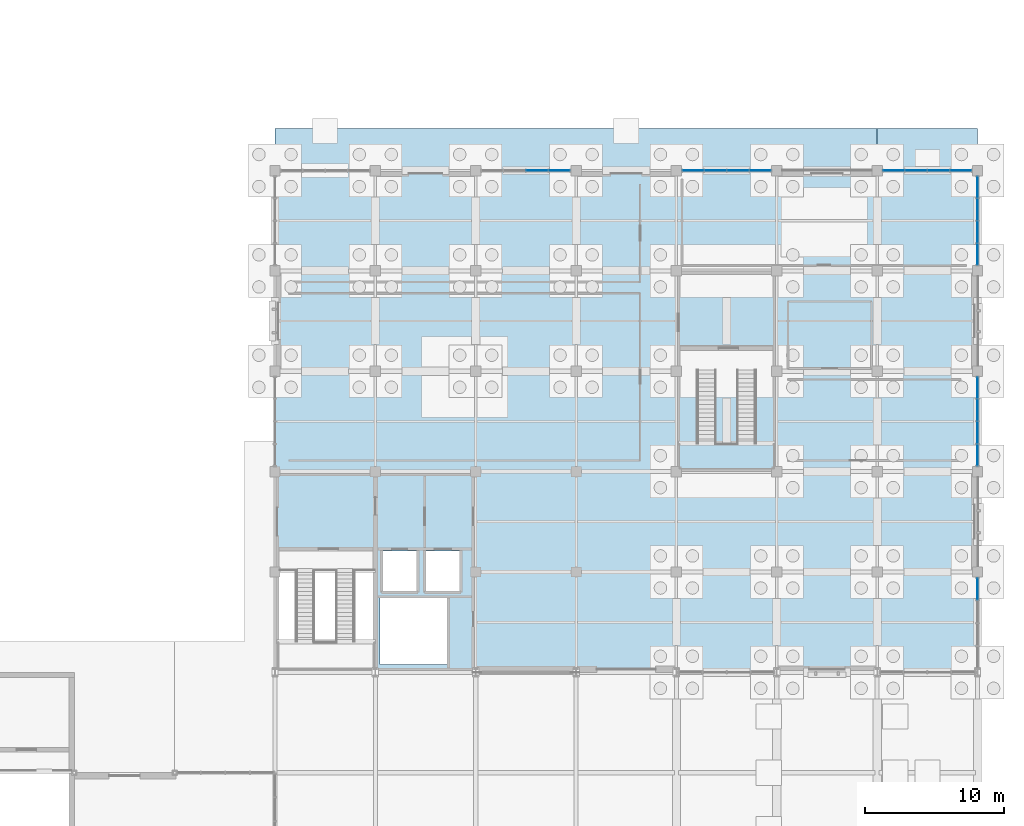
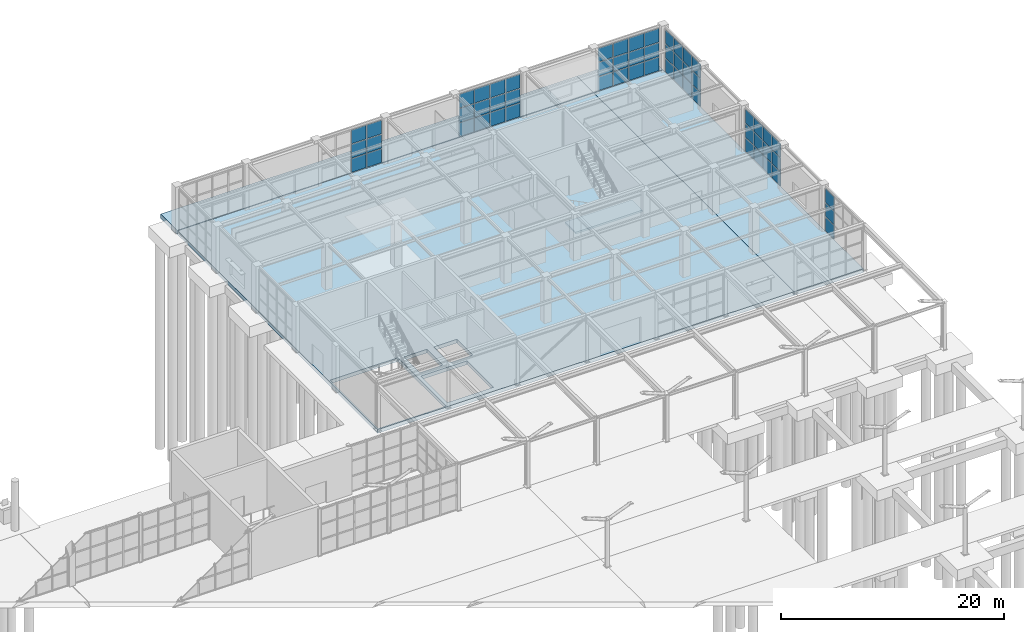
# One storey, part 51 of 75: 57 plates, 5 slabs, 7 elements without a shape of their own.
"""IFC4 building model written with IfcOpenShell, lengths in metres."""

from ifc_helpers import new_model, si_unit, direction, frame, origin, origin_2d, place, context, subcontext, project, spatial, polyline, rectangle, outline, extrude, material, layer, layer_set, type_object, element, aggregate, save


model = new_model("IFC4")

# Units and contexts
model_context = context("Model", 3, precision=1e-05, world=origin(), true_north=direction((0.0, 1.0)))
body_context = subcontext(model_context, "Body", "Model", "MODEL_VIEW")
ifc_project = project(units=[si_unit("LENGTHUNIT", "METRE"), si_unit("AREAUNIT", "SQUARE_METRE"), si_unit("VOLUMEUNIT", "CUBIC_METRE"), si_unit("PLANEANGLEUNIT", "RADIAN"), si_unit("MASSUNIT", "GRAM", prefix="KILO")], contexts=[model_context])

# Site, building, storey
site_placement = place(None, origin())
site = spatial("IfcSite", under=ifc_project, at=site_placement, CompositionType="ELEMENT")
building_placement = place(site_placement, origin())
building = spatial("IfcBuilding", under=site, at=building_placement, Name="Leyfeld Transit Interchange", CompositionType="ELEMENT")
storey_placement = place(building_placement, origin())
storey = spatial("IfcBuildingStorey", under=building, at=storey_placement, Name="L00", CompositionType="ELEMENT", Elevation=0.0)

# Curtain wall, plates
ifc_material_1 = material(Name="Anodised aluminium EN AW-6060 T66", Category="aluminium")
curtain_wall_type = type_object("IfcCurtainWallType", Name="CW-SYS-BUS-7200", PredefinedType="NOTDEFINED", material=ifc_material_1)
curtain_wall_1_placement = place(storey_placement, origin())
curtain_wall_1 = element("IfcCurtainWall", 1, at=curtain_wall_1_placement, inside=storey, type_object=curtain_wall_type, Name="Curtain Wall CW-L00-041", PredefinedType="NOTDEFINED")
ifc_material_2 = material(Name="Laminated safety acoustic glazing", Category="glass")
ifc_layer_1 = layer(ifc_material_2, 0.048095703125, Name="Laminated safety acoustic glazing")
ifc_layer_set_1 = layer_set([ifc_layer_1], Name="Laminated safety acoustic glazing")
plate_type = type_object("IfcPlateType", Name="CW-PNL-ACU-48", PredefinedType="CURTAIN_PANEL", material=ifc_layer_set_1)
plate_1_placement = place(storey_placement, frame((155.608642578125, 93.60009765625, 0.073486328125), z_axis=(0.0, 0.0, 1.0), x_axis=(1.0, 0.0, 0.0)))
plate_1 = element("IfcPlate", 2, at=plate_1_placement, type_object=plate_type, Name="Glazed Curtain Panel CW-L00-041-P03_1", PredefinedType="CURTAIN_PANEL", context=body_context, shape_type="SweptSolid", body=[
    extrude(rectangle(XDim=1.54541015625, YDim=0.048095703125, at=origin_2d()), origin(), (0.0, 0.0, 1.0), 1.5029296875),
])
plate_2_placement = place(storey_placement, frame((155.608642578125, 93.60009765625, 1.6484375), z_axis=(0.0, 0.0, 1.0), x_axis=(1.0, 0.0, 0.0)))
plate_2 = element("IfcPlate", 3, at=plate_2_placement, type_object=plate_type, Name="Glazed Curtain Panel CW-L00-041-P03_2", PredefinedType="CURTAIN_PANEL", context=body_context, shape_type="SweptSolid", body=[
    extrude(rectangle(XDim=1.54541015625, YDim=0.048095703125, at=origin_2d()), origin(), (0.0, 0.0, 1.0), 1.5029296875),
])
plate_3_placement = place(storey_placement, frame((155.608642578125, 93.60009765625, 3.2236328125), z_axis=(0.0, 0.0, 1.0), x_axis=(1.0, 0.0, 0.0)))
plate_3 = element("IfcPlate", 4, at=plate_3_placement, type_object=plate_type, Name="Glazed Curtain Panel CW-L00-041-P03_3", PredefinedType="CURTAIN_PANEL", context=body_context, shape_type="SweptSolid", body=[
    extrude(rectangle(XDim=1.54541015625, YDim=0.048095703125, at=origin_2d()), origin(), (0.0, 0.0, 1.0), 1.5029296875),
])
plate_4_placement = place(storey_placement, frame((157.20751953125, 93.60009765625, 0.073486328125), z_axis=(0.0, 0.0, 1.0), x_axis=(1.0, 0.0, 0.0)))
plate_4 = element("IfcPlate", 5, at=plate_4_placement, type_object=plate_type, Name="Glazed Curtain Panel CW-L00-041-P04_1", PredefinedType="CURTAIN_PANEL", context=body_context, shape_type="SweptSolid", body=[
    extrude(rectangle(XDim=1.508056640625, YDim=0.048095703125, at=origin_2d()), origin(), (0.0, 0.0, 1.0), 1.5029296875),
])
plate_5_placement = place(storey_placement, frame((157.20751953125, 93.60009765625, 1.6484375), z_axis=(0.0, 0.0, 1.0), x_axis=(1.0, 0.0, 0.0)))
plate_5 = element("IfcPlate", 6, at=plate_5_placement, type_object=plate_type, Name="Glazed Curtain Panel CW-L00-041-P04_2", PredefinedType="CURTAIN_PANEL", context=body_context, shape_type="SweptSolid", body=[
    extrude(rectangle(XDim=1.508056640625, YDim=0.048095703125, at=origin_2d()), origin(), (0.0, 0.0, 1.0), 1.5029296875),
])
plate_6_placement = place(storey_placement, frame((157.20751953125, 93.60009765625, 3.2236328125), z_axis=(0.0, 0.0, 1.0), x_axis=(1.0, 0.0, 0.0)))
plate_6 = element("IfcPlate", 7, at=plate_6_placement, type_object=plate_type, Name="Glazed Curtain Panel CW-L00-041-P04_3", PredefinedType="CURTAIN_PANEL", context=body_context, shape_type="SweptSolid", body=[
    extrude(rectangle(XDim=1.508056640625, YDim=0.048095703125, at=origin_2d()), origin(), (0.0, 0.0, 1.0), 1.5029296875),
])
aggregate(curtain_wall_1, [plate_1, plate_2, plate_3, plate_4, plate_5, plate_6])

curtain_wall_2_placement = place(storey_placement, origin())
curtain_wall_2 = element("IfcCurtainWall", 8, at=curtain_wall_2_placement, inside=storey, type_object=curtain_wall_type, Name="Curtain Wall CW-L00-042", PredefinedType="NOTDEFINED")
plate_7_placement = place(storey_placement, frame((166.79248046875, 93.60009765625, 0.073486328125), z_axis=(0.0, 0.0, 1.0), x_axis=(1.0, 0.0, 0.0)))
plate_7 = element("IfcPlate", 9, at=plate_7_placement, type_object=plate_type, Name="Glazed Curtain Panel CW-L00-042-P01_1", PredefinedType="CURTAIN_PANEL", context=body_context, shape_type="SweptSolid", body=[
    extrude(rectangle(XDim=1.508056640625, YDim=0.048095703125, at=origin_2d()), origin(), (0.0, 0.0, 1.0), 1.5029296875),
])
plate_8_placement = place(storey_placement, frame((166.79248046875, 93.60009765625, 1.6484375), z_axis=(0.0, 0.0, 1.0), x_axis=(1.0, 0.0, 0.0)))
plate_8 = element("IfcPlate", 10, at=plate_8_placement, type_object=plate_type, Name="Glazed Curtain Panel CW-L00-042-P01_2", PredefinedType="CURTAIN_PANEL", context=body_context, shape_type="SweptSolid", body=[
    extrude(rectangle(XDim=1.508056640625, YDim=0.048095703125, at=origin_2d()), origin(), (0.0, 0.0, 1.0), 1.5029296875),
])
plate_9_placement = place(storey_placement, frame((166.79248046875, 93.60009765625, 3.2236328125), z_axis=(0.0, 0.0, 1.0), x_axis=(1.0, 0.0, 0.0)))
plate_9 = element("IfcPlate", 11, at=plate_9_placement, type_object=plate_type, Name="Glazed Curtain Panel CW-L00-042-P01_3", PredefinedType="CURTAIN_PANEL", context=body_context, shape_type="SweptSolid", body=[
    extrude(rectangle(XDim=1.508056640625, YDim=0.048095703125, at=origin_2d()), origin(), (0.0, 0.0, 1.0), 1.5029296875),
])
plate_10_placement = place(storey_placement, frame((168.391357421875, 93.60009765625, 0.073486328125), z_axis=(0.0, 0.0, 1.0), x_axis=(1.0, 0.0, 0.0)))
plate_10 = element("IfcPlate", 12, at=plate_10_placement, type_object=plate_type, Name="Glazed Curtain Panel CW-L00-042-P02_1", PredefinedType="CURTAIN_PANEL", context=body_context, shape_type="SweptSolid", body=[
    extrude(rectangle(XDim=1.54541015625, YDim=0.048095703125, at=origin_2d()), origin(), (0.0, 0.0, 1.0), 1.5029296875),
])
plate_11_placement = place(storey_placement, frame((168.391357421875, 93.60009765625, 1.6484375), z_axis=(0.0, 0.0, 1.0), x_axis=(1.0, 0.0, 0.0)))
plate_11 = element("IfcPlate", 13, at=plate_11_placement, type_object=plate_type, Name="Glazed Curtain Panel CW-L00-042-P02_2", PredefinedType="CURTAIN_PANEL", context=body_context, shape_type="SweptSolid", body=[
    extrude(rectangle(XDim=1.54541015625, YDim=0.048095703125, at=origin_2d()), origin(), (0.0, 0.0, 1.0), 1.5029296875),
])
plate_12_placement = place(storey_placement, frame((168.391357421875, 93.60009765625, 3.2236328125), z_axis=(0.0, 0.0, 1.0), x_axis=(1.0, 0.0, 0.0)))
plate_12 = element("IfcPlate", 14, at=plate_12_placement, type_object=plate_type, Name="Glazed Curtain Panel CW-L00-042-P02_3", PredefinedType="CURTAIN_PANEL", context=body_context, shape_type="SweptSolid", body=[
    extrude(rectangle(XDim=1.54541015625, YDim=0.048095703125, at=origin_2d()), origin(), (0.0, 0.0, 1.0), 1.5029296875),
])
plate_13_placement = place(storey_placement, frame((170.0087890625, 93.60009765625, 0.073486328125), z_axis=(0.0, 0.0, 1.0), x_axis=(1.0, 0.0, 0.0)))
plate_13 = element("IfcPlate", 15, at=plate_13_placement, type_object=plate_type, Name="Glazed Curtain Panel CW-L00-042-P03_1", PredefinedType="CURTAIN_PANEL", context=body_context, shape_type="SweptSolid", body=[
    extrude(rectangle(XDim=1.54541015625, YDim=0.048095703125, at=origin_2d()), origin(), (0.0, 0.0, 1.0), 1.5029296875),
])
plate_14_placement = place(storey_placement, frame((170.0087890625, 93.60009765625, 1.6484375), z_axis=(0.0, 0.0, 1.0), x_axis=(1.0, 0.0, 0.0)))
plate_14 = element("IfcPlate", 16, at=plate_14_placement, type_object=plate_type, Name="Glazed Curtain Panel CW-L00-042-P03_2", PredefinedType="CURTAIN_PANEL", context=body_context, shape_type="SweptSolid", body=[
    extrude(rectangle(XDim=1.54541015625, YDim=0.048095703125, at=origin_2d()), origin(), (0.0, 0.0, 1.0), 1.5029296875),
])
plate_15_placement = place(storey_placement, frame((170.0087890625, 93.60009765625, 3.2236328125), z_axis=(0.0, 0.0, 1.0), x_axis=(1.0, 0.0, 0.0)))
plate_15 = element("IfcPlate", 17, at=plate_15_placement, type_object=plate_type, Name="Glazed Curtain Panel CW-L00-042-P03_3", PredefinedType="CURTAIN_PANEL", context=body_context, shape_type="SweptSolid", body=[
    extrude(rectangle(XDim=1.54541015625, YDim=0.048095703125, at=origin_2d()), origin(), (0.0, 0.0, 1.0), 1.5029296875),
])
plate_16_placement = place(storey_placement, frame((171.607421875, 93.60009765625, 0.073486328125), z_axis=(0.0, 0.0, 1.0), x_axis=(1.0, 0.0, 0.0)))
plate_16 = element("IfcPlate", 18, at=plate_16_placement, type_object=plate_type, Name="Glazed Curtain Panel CW-L00-042-P04_1", PredefinedType="CURTAIN_PANEL", context=body_context, shape_type="SweptSolid", body=[
    extrude(rectangle(XDim=1.508056640625, YDim=0.048095703125, at=origin_2d()), origin(), (0.0, 0.0, 1.0), 1.5029296875),
])
plate_17_placement = place(storey_placement, frame((171.607421875, 93.60009765625, 1.6484375), z_axis=(0.0, 0.0, 1.0), x_axis=(1.0, 0.0, 0.0)))
plate_17 = element("IfcPlate", 19, at=plate_17_placement, type_object=plate_type, Name="Glazed Curtain Panel CW-L00-042-P04_2", PredefinedType="CURTAIN_PANEL", context=body_context, shape_type="SweptSolid", body=[
    extrude(rectangle(XDim=1.508056640625, YDim=0.048095703125, at=origin_2d()), origin(), (0.0, 0.0, 1.0), 1.5029296875),
])
plate_18_placement = place(storey_placement, frame((171.607421875, 93.60009765625, 3.2236328125), z_axis=(0.0, 0.0, 1.0), x_axis=(1.0, 0.0, 0.0)))
plate_18 = element("IfcPlate", 20, at=plate_18_placement, type_object=plate_type, Name="Glazed Curtain Panel CW-L00-042-P04_3", PredefinedType="CURTAIN_PANEL", context=body_context, shape_type="SweptSolid", body=[
    extrude(rectangle(XDim=1.508056640625, YDim=0.048095703125, at=origin_2d()), origin(), (0.0, 0.0, 1.0), 1.5029296875),
])
aggregate(curtain_wall_2, [plate_7, plate_8, plate_9, plate_10, plate_11, plate_12, plate_13, plate_14, plate_15, plate_16, plate_17, plate_18])

curtain_wall_3_placement = place(storey_placement, origin())
curtain_wall_3 = element("IfcCurtainWall", 21, at=curtain_wall_3_placement, inside=storey, type_object=curtain_wall_type, Name="Curtain Wall CW-L00-043", PredefinedType="NOTDEFINED")
plate_19_placement = place(storey_placement, frame((181.1923828125, 93.60009765625, 0.073486328125), z_axis=(0.0, 0.0, 1.0), x_axis=(1.0, 0.0, 0.0)))
plate_19 = element("IfcPlate", 22, at=plate_19_placement, type_object=plate_type, Name="Glazed Curtain Panel CW-L00-043-P01_1", PredefinedType="CURTAIN_PANEL", context=body_context, shape_type="SweptSolid", body=[
    extrude(rectangle(XDim=1.508056640625, YDim=0.048095703125, at=origin_2d()), origin(), (0.0, 0.0, 1.0), 1.5029296875),
])
plate_20_placement = place(storey_placement, frame((181.1923828125, 93.60009765625, 1.6484375), z_axis=(0.0, 0.0, 1.0), x_axis=(1.0, 0.0, 0.0)))
plate_20 = element("IfcPlate", 23, at=plate_20_placement, type_object=plate_type, Name="Glazed Curtain Panel CW-L00-043-P01_2", PredefinedType="CURTAIN_PANEL", context=body_context, shape_type="SweptSolid", body=[
    extrude(rectangle(XDim=1.508056640625, YDim=0.048095703125, at=origin_2d()), origin(), (0.0, 0.0, 1.0), 1.5029296875),
])
plate_21_placement = place(storey_placement, frame((181.1923828125, 93.60009765625, 3.2236328125), z_axis=(0.0, 0.0, 1.0), x_axis=(1.0, 0.0, 0.0)))
plate_21 = element("IfcPlate", 24, at=plate_21_placement, type_object=plate_type, Name="Glazed Curtain Panel CW-L00-043-P01_3", PredefinedType="CURTAIN_PANEL", context=body_context, shape_type="SweptSolid", body=[
    extrude(rectangle(XDim=1.508056640625, YDim=0.048095703125, at=origin_2d()), origin(), (0.0, 0.0, 1.0), 1.5029296875),
])
plate_22_placement = place(storey_placement, frame((182.791259765625, 93.60009765625, 0.073486328125), z_axis=(0.0, 0.0, 1.0), x_axis=(1.0, 0.0, 0.0)))
plate_22 = element("IfcPlate", 25, at=plate_22_placement, type_object=plate_type, Name="Glazed Curtain Panel CW-L00-043-P02_1", PredefinedType="CURTAIN_PANEL", context=body_context, shape_type="SweptSolid", body=[
    extrude(rectangle(XDim=1.54541015625, YDim=0.048095703125, at=origin_2d()), origin(), (0.0, 0.0, 1.0), 1.5029296875),
])
plate_23_placement = place(storey_placement, frame((182.791259765625, 93.60009765625, 1.6484375), z_axis=(0.0, 0.0, 1.0), x_axis=(1.0, 0.0, 0.0)))
plate_23 = element("IfcPlate", 26, at=plate_23_placement, type_object=plate_type, Name="Glazed Curtain Panel CW-L00-043-P02_2", PredefinedType="CURTAIN_PANEL", context=body_context, shape_type="SweptSolid", body=[
    extrude(rectangle(XDim=1.54541015625, YDim=0.048095703125, at=origin_2d()), origin(), (0.0, 0.0, 1.0), 1.5029296875),
])
plate_24_placement = place(storey_placement, frame((182.791259765625, 93.60009765625, 3.2236328125), z_axis=(0.0, 0.0, 1.0), x_axis=(1.0, 0.0, 0.0)))
plate_24 = element("IfcPlate", 27, at=plate_24_placement, type_object=plate_type, Name="Glazed Curtain Panel CW-L00-043-P02_3", PredefinedType="CURTAIN_PANEL", context=body_context, shape_type="SweptSolid", body=[
    extrude(rectangle(XDim=1.54541015625, YDim=0.048095703125, at=origin_2d()), origin(), (0.0, 0.0, 1.0), 1.5029296875),
])
plate_25_placement = place(storey_placement, frame((184.40869140625, 93.60009765625, 0.073486328125), z_axis=(0.0, 0.0, 1.0), x_axis=(1.0, 0.0, 0.0)))
plate_25 = element("IfcPlate", 28, at=plate_25_placement, type_object=plate_type, Name="Glazed Curtain Panel CW-L00-043-P03_1", PredefinedType="CURTAIN_PANEL", context=body_context, shape_type="SweptSolid", body=[
    extrude(rectangle(XDim=1.54541015625, YDim=0.048095703125, at=origin_2d()), origin(), (0.0, 0.0, 1.0), 1.5029296875),
])
plate_26_placement = place(storey_placement, frame((184.40869140625, 93.60009765625, 1.6484375), z_axis=(0.0, 0.0, 1.0), x_axis=(1.0, 0.0, 0.0)))
plate_26 = element("IfcPlate", 29, at=plate_26_placement, type_object=plate_type, Name="Glazed Curtain Panel CW-L00-043-P03_2", PredefinedType="CURTAIN_PANEL", context=body_context, shape_type="SweptSolid", body=[
    extrude(rectangle(XDim=1.54541015625, YDim=0.048095703125, at=origin_2d()), origin(), (0.0, 0.0, 1.0), 1.5029296875),
])
plate_27_placement = place(storey_placement, frame((184.40869140625, 93.60009765625, 3.2236328125), z_axis=(0.0, 0.0, 1.0), x_axis=(1.0, 0.0, 0.0)))
plate_27 = element("IfcPlate", 30, at=plate_27_placement, type_object=plate_type, Name="Glazed Curtain Panel CW-L00-043-P03_3", PredefinedType="CURTAIN_PANEL", context=body_context, shape_type="SweptSolid", body=[
    extrude(rectangle(XDim=1.54541015625, YDim=0.048095703125, at=origin_2d()), origin(), (0.0, 0.0, 1.0), 1.5029296875),
])
plate_28_placement = place(storey_placement, frame((186.007568359375, 93.60009765625, 0.073486328125), z_axis=(0.0, 0.0, 1.0), x_axis=(1.0, 0.0, 0.0)))
plate_28 = element("IfcPlate", 31, at=plate_28_placement, type_object=plate_type, Name="Glazed Curtain Panel CW-L00-043-P04_1", PredefinedType="CURTAIN_PANEL", context=body_context, shape_type="SweptSolid", body=[
    extrude(rectangle(XDim=1.508056640625, YDim=0.048095703125, at=origin_2d()), origin(), (0.0, 0.0, 1.0), 1.5029296875),
])
plate_29_placement = place(storey_placement, frame((186.007568359375, 93.60009765625, 1.6484375), z_axis=(0.0, 0.0, 1.0), x_axis=(1.0, 0.0, 0.0)))
plate_29 = element("IfcPlate", 32, at=plate_29_placement, type_object=plate_type, Name="Glazed Curtain Panel CW-L00-043-P04_2", PredefinedType="CURTAIN_PANEL", context=body_context, shape_type="SweptSolid", body=[
    extrude(rectangle(XDim=1.508056640625, YDim=0.048095703125, at=origin_2d()), origin(), (0.0, 0.0, 1.0), 1.5029296875),
])
plate_30_placement = place(storey_placement, frame((186.007568359375, 93.60009765625, 3.2236328125), z_axis=(0.0, 0.0, 1.0), x_axis=(1.0, 0.0, 0.0)))
plate_30 = element("IfcPlate", 33, at=plate_30_placement, type_object=plate_type, Name="Glazed Curtain Panel CW-L00-043-P04_3", PredefinedType="CURTAIN_PANEL", context=body_context, shape_type="SweptSolid", body=[
    extrude(rectangle(XDim=1.508056640625, YDim=0.048095703125, at=origin_2d()), origin(), (0.0, 0.0, 1.0), 1.5029296875),
])
aggregate(curtain_wall_3, [plate_19, plate_20, plate_21, plate_22, plate_23, plate_24, plate_25, plate_26, plate_27, plate_28, plate_29, plate_30])

curtain_wall_4_placement = place(storey_placement, origin())
curtain_wall_4 = element("IfcCurtainWall", 34, at=curtain_wall_4_placement, inside=storey, type_object=curtain_wall_type, Name="Curtain Wall CW-L00-044", PredefinedType="NOTDEFINED")
plate_31_placement = place(storey_placement, frame((187.199951171875, 92.407470703125, 0.07373046875), z_axis=(0.0, 0.0, 1.0), x_axis=(0.0, -1.0, 0.0)))
plate_31 = element("IfcPlate", 35, at=plate_31_placement, type_object=plate_type, Name="Glazed Curtain Panel CW-L00-044-P01_1", PredefinedType="CURTAIN_PANEL", context=body_context, shape_type="SweptSolid", body=[
    extrude(rectangle(XDim=1.508056640625, YDim=0.048095703125, at=origin_2d()), origin(), (0.0, 0.0, 1.0), 1.492919921875),
])
plate_32_placement = place(storey_placement, frame((187.199951171875, 92.407470703125, 1.638671875), z_axis=(0.0, 0.0, 1.0), x_axis=(0.0, -1.0, 0.0)))
plate_32 = element("IfcPlate", 36, at=plate_32_placement, type_object=plate_type, Name="Glazed Curtain Panel CW-L00-044-P01_2", PredefinedType="CURTAIN_PANEL", context=body_context, shape_type="SweptSolid", body=[
    extrude(rectangle(XDim=1.508056640625, YDim=0.048095703125, at=origin_2d()), origin(), (0.0, 0.0, 1.0), 1.492919921875),
])
plate_33_placement = place(storey_placement, frame((187.199951171875, 92.407470703125, 3.20361328125), z_axis=(0.0, 0.0, 1.0), x_axis=(0.0, -1.0, 0.0)))
plate_33 = element("IfcPlate", 37, at=plate_33_placement, type_object=plate_type, Name="Glazed Curtain Panel CW-L00-044-P01_3", PredefinedType="CURTAIN_PANEL", context=body_context, shape_type="SweptSolid", body=[
    extrude(rectangle(XDim=1.508056640625, YDim=0.048095703125, at=origin_2d()), origin(), (0.0, 0.0, 1.0), 1.492919921875),
])
plate_34_placement = place(storey_placement, frame((187.199951171875, 90.808837890625, 0.07373046875), z_axis=(0.0, 0.0, 1.0), x_axis=(0.0, -1.0, 0.0)))
plate_34 = element("IfcPlate", 38, at=plate_34_placement, type_object=plate_type, Name="Glazed Curtain Panel CW-L00-044-P02_1", PredefinedType="CURTAIN_PANEL", context=body_context, shape_type="SweptSolid", body=[
    extrude(rectangle(XDim=1.54541015625, YDim=0.048095703125, at=origin_2d()), origin(), (0.0, 0.0, 1.0), 1.492919921875),
])
plate_35_placement = place(storey_placement, frame((187.199951171875, 90.808837890625, 1.638671875), z_axis=(0.0, 0.0, 1.0), x_axis=(0.0, -1.0, 0.0)))
plate_35 = element("IfcPlate", 39, at=plate_35_placement, type_object=plate_type, Name="Glazed Curtain Panel CW-L00-044-P02_2", PredefinedType="CURTAIN_PANEL", context=body_context, shape_type="SweptSolid", body=[
    extrude(rectangle(XDim=1.54541015625, YDim=0.048095703125, at=origin_2d()), origin(), (0.0, 0.0, 1.0), 1.492919921875),
])
plate_36_placement = place(storey_placement, frame((187.199951171875, 90.808837890625, 3.20361328125), z_axis=(0.0, 0.0, 1.0), x_axis=(0.0, -1.0, 0.0)))
plate_36 = element("IfcPlate", 40, at=plate_36_placement, type_object=plate_type, Name="Glazed Curtain Panel CW-L00-044-P02_3", PredefinedType="CURTAIN_PANEL", context=body_context, shape_type="SweptSolid", body=[
    extrude(rectangle(XDim=1.54541015625, YDim=0.048095703125, at=origin_2d()), origin(), (0.0, 0.0, 1.0), 1.492919921875),
])
plate_37_placement = place(storey_placement, frame((187.199951171875, 89.191162109375, 0.07373046875), z_axis=(0.0, 0.0, 1.0), x_axis=(0.0, -1.0, 0.0)))
plate_37 = element("IfcPlate", 41, at=plate_37_placement, type_object=plate_type, Name="Glazed Curtain Panel CW-L00-044-P03_1", PredefinedType="CURTAIN_PANEL", context=body_context, shape_type="SweptSolid", body=[
    extrude(rectangle(XDim=1.54541015625, YDim=0.048095703125, at=origin_2d()), origin(), (0.0, 0.0, 1.0), 1.492919921875),
])
plate_38_placement = place(storey_placement, frame((187.199951171875, 89.191162109375, 1.638671875), z_axis=(0.0, 0.0, 1.0), x_axis=(0.0, -1.0, 0.0)))
plate_38 = element("IfcPlate", 42, at=plate_38_placement, type_object=plate_type, Name="Glazed Curtain Panel CW-L00-044-P03_2", PredefinedType="CURTAIN_PANEL", context=body_context, shape_type="SweptSolid", body=[
    extrude(rectangle(XDim=1.54541015625, YDim=0.048095703125, at=origin_2d()), origin(), (0.0, 0.0, 1.0), 1.492919921875),
])
plate_39_placement = place(storey_placement, frame((187.199951171875, 89.191162109375, 3.20361328125), z_axis=(0.0, 0.0, 1.0), x_axis=(0.0, -1.0, 0.0)))
plate_39 = element("IfcPlate", 43, at=plate_39_placement, type_object=plate_type, Name="Glazed Curtain Panel CW-L00-044-P03_3", PredefinedType="CURTAIN_PANEL", context=body_context, shape_type="SweptSolid", body=[
    extrude(rectangle(XDim=1.54541015625, YDim=0.048095703125, at=origin_2d()), origin(), (0.0, 0.0, 1.0), 1.492919921875),
])
plate_40_placement = place(storey_placement, frame((187.199951171875, 87.592529296875, 0.07373046875), z_axis=(0.0, 0.0, 1.0), x_axis=(0.0, -1.0, 0.0)))
plate_40 = element("IfcPlate", 44, at=plate_40_placement, type_object=plate_type, Name="Glazed Curtain Panel CW-L00-044-P04_1", PredefinedType="CURTAIN_PANEL", context=body_context, shape_type="SweptSolid", body=[
    extrude(rectangle(XDim=1.508056640625, YDim=0.048095703125, at=origin_2d()), origin(), (0.0, 0.0, 1.0), 1.492919921875),
])
plate_41_placement = place(storey_placement, frame((187.199951171875, 87.592529296875, 1.638671875), z_axis=(0.0, 0.0, 1.0), x_axis=(0.0, -1.0, 0.0)))
plate_41 = element("IfcPlate", 45, at=plate_41_placement, type_object=plate_type, Name="Glazed Curtain Panel CW-L00-044-P04_2", PredefinedType="CURTAIN_PANEL", context=body_context, shape_type="SweptSolid", body=[
    extrude(rectangle(XDim=1.508056640625, YDim=0.048095703125, at=origin_2d()), origin(), (0.0, 0.0, 1.0), 1.492919921875),
])
plate_42_placement = place(storey_placement, frame((187.199951171875, 87.592529296875, 3.20361328125), z_axis=(0.0, 0.0, 1.0), x_axis=(0.0, -1.0, 0.0)))
plate_42 = element("IfcPlate", 46, at=plate_42_placement, type_object=plate_type, Name="Glazed Curtain Panel CW-L00-044-P04_3", PredefinedType="CURTAIN_PANEL", context=body_context, shape_type="SweptSolid", body=[
    extrude(rectangle(XDim=1.508056640625, YDim=0.048095703125, at=origin_2d()), origin(), (0.0, 0.0, 1.0), 1.492919921875),
])
aggregate(curtain_wall_4, [plate_31, plate_32, plate_33, plate_34, plate_35, plate_36, plate_37, plate_38, plate_39, plate_40, plate_41, plate_42])

curtain_wall_5_placement = place(storey_placement, origin())
curtain_wall_5 = element("IfcCurtainWall", 47, at=curtain_wall_5_placement, inside=storey, type_object=curtain_wall_type, Name="Curtain Wall CW-L00-045", PredefinedType="NOTDEFINED")
plate_43_placement = place(storey_placement, frame((187.199951171875, 78.007568359375, 0.07373046875), z_axis=(0.0, 0.0, 1.0), x_axis=(0.0, -1.0, 0.0)))
plate_43 = element("IfcPlate", 48, at=plate_43_placement, type_object=plate_type, Name="Glazed Curtain Panel CW-L00-045-P01_1", PredefinedType="CURTAIN_PANEL", context=body_context, shape_type="SweptSolid", body=[
    extrude(rectangle(XDim=1.508056640625, YDim=0.048095703125, at=origin_2d()), origin(), (0.0, 0.0, 1.0), 1.492919921875),
])
plate_44_placement = place(storey_placement, frame((187.199951171875, 78.007568359375, 1.638671875), z_axis=(0.0, 0.0, 1.0), x_axis=(0.0, -1.0, 0.0)))
plate_44 = element("IfcPlate", 49, at=plate_44_placement, type_object=plate_type, Name="Glazed Curtain Panel CW-L00-045-P01_2", PredefinedType="CURTAIN_PANEL", context=body_context, shape_type="SweptSolid", body=[
    extrude(rectangle(XDim=1.508056640625, YDim=0.048095703125, at=origin_2d()), origin(), (0.0, 0.0, 1.0), 1.492919921875),
])
plate_45_placement = place(storey_placement, frame((187.199951171875, 78.007568359375, 3.20361328125), z_axis=(0.0, 0.0, 1.0), x_axis=(0.0, -1.0, 0.0)))
plate_45 = element("IfcPlate", 50, at=plate_45_placement, type_object=plate_type, Name="Glazed Curtain Panel CW-L00-045-P01_3", PredefinedType="CURTAIN_PANEL", context=body_context, shape_type="SweptSolid", body=[
    extrude(rectangle(XDim=1.508056640625, YDim=0.048095703125, at=origin_2d()), origin(), (0.0, 0.0, 1.0), 1.492919921875),
])
plate_46_placement = place(storey_placement, frame((187.199951171875, 76.40869140625, 0.07373046875), z_axis=(0.0, 0.0, 1.0), x_axis=(0.0, -1.0, 0.0)))
plate_46 = element("IfcPlate", 51, at=plate_46_placement, type_object=plate_type, Name="Glazed Curtain Panel CW-L00-045-P02_1", PredefinedType="CURTAIN_PANEL", context=body_context, shape_type="SweptSolid", body=[
    extrude(rectangle(XDim=1.54541015625, YDim=0.048095703125, at=origin_2d()), origin(), (0.0, 0.0, 1.0), 1.492919921875),
])
plate_47_placement = place(storey_placement, frame((187.199951171875, 76.40869140625, 1.638671875), z_axis=(0.0, 0.0, 1.0), x_axis=(0.0, -1.0, 0.0)))
plate_47 = element("IfcPlate", 52, at=plate_47_placement, type_object=plate_type, Name="Glazed Curtain Panel CW-L00-045-P02_2", PredefinedType="CURTAIN_PANEL", context=body_context, shape_type="SweptSolid", body=[
    extrude(rectangle(XDim=1.54541015625, YDim=0.048095703125, at=origin_2d()), origin(), (0.0, 0.0, 1.0), 1.492919921875),
])
plate_48_placement = place(storey_placement, frame((187.199951171875, 76.40869140625, 3.20361328125), z_axis=(0.0, 0.0, 1.0), x_axis=(0.0, -1.0, 0.0)))
plate_48 = element("IfcPlate", 53, at=plate_48_placement, type_object=plate_type, Name="Glazed Curtain Panel CW-L00-045-P02_3", PredefinedType="CURTAIN_PANEL", context=body_context, shape_type="SweptSolid", body=[
    extrude(rectangle(XDim=1.54541015625, YDim=0.048095703125, at=origin_2d()), origin(), (0.0, 0.0, 1.0), 1.492919921875),
])
plate_49_placement = place(storey_placement, frame((187.199951171875, 74.791259765625, 0.07373046875), z_axis=(0.0, 0.0, 1.0), x_axis=(0.0, -1.0, 0.0)))
plate_49 = element("IfcPlate", 54, at=plate_49_placement, type_object=plate_type, Name="Glazed Curtain Panel CW-L00-045-P03_1", PredefinedType="CURTAIN_PANEL", context=body_context, shape_type="SweptSolid", body=[
    extrude(rectangle(XDim=1.54541015625, YDim=0.048095703125, at=origin_2d()), origin(), (0.0, 0.0, 1.0), 1.492919921875),
])
plate_50_placement = place(storey_placement, frame((187.199951171875, 74.791259765625, 1.638671875), z_axis=(0.0, 0.0, 1.0), x_axis=(0.0, -1.0, 0.0)))
plate_50 = element("IfcPlate", 55, at=plate_50_placement, type_object=plate_type, Name="Glazed Curtain Panel CW-L00-045-P03_2", PredefinedType="CURTAIN_PANEL", context=body_context, shape_type="SweptSolid", body=[
    extrude(rectangle(XDim=1.54541015625, YDim=0.048095703125, at=origin_2d()), origin(), (0.0, 0.0, 1.0), 1.492919921875),
])
plate_51_placement = place(storey_placement, frame((187.199951171875, 74.791259765625, 3.20361328125), z_axis=(0.0, 0.0, 1.0), x_axis=(0.0, -1.0, 0.0)))
plate_51 = element("IfcPlate", 56, at=plate_51_placement, type_object=plate_type, Name="Glazed Curtain Panel CW-L00-045-P03_3", PredefinedType="CURTAIN_PANEL", context=body_context, shape_type="SweptSolid", body=[
    extrude(rectangle(XDim=1.54541015625, YDim=0.048095703125, at=origin_2d()), origin(), (0.0, 0.0, 1.0), 1.492919921875),
])
plate_52_placement = place(storey_placement, frame((187.199951171875, 73.1923828125, 0.07373046875), z_axis=(0.0, 0.0, 1.0), x_axis=(0.0, -1.0, 0.0)))
plate_52 = element("IfcPlate", 57, at=plate_52_placement, type_object=plate_type, Name="Glazed Curtain Panel CW-L00-045-P04_1", PredefinedType="CURTAIN_PANEL", context=body_context, shape_type="SweptSolid", body=[
    extrude(rectangle(XDim=1.508056640625, YDim=0.048095703125, at=origin_2d()), origin(), (0.0, 0.0, 1.0), 1.492919921875),
])
plate_53_placement = place(storey_placement, frame((187.199951171875, 73.1923828125, 1.638671875), z_axis=(0.0, 0.0, 1.0), x_axis=(0.0, -1.0, 0.0)))
plate_53 = element("IfcPlate", 58, at=plate_53_placement, type_object=plate_type, Name="Glazed Curtain Panel CW-L00-045-P04_2", PredefinedType="CURTAIN_PANEL", context=body_context, shape_type="SweptSolid", body=[
    extrude(rectangle(XDim=1.508056640625, YDim=0.048095703125, at=origin_2d()), origin(), (0.0, 0.0, 1.0), 1.492919921875),
])
plate_54_placement = place(storey_placement, frame((187.199951171875, 73.1923828125, 3.20361328125), z_axis=(0.0, 0.0, 1.0), x_axis=(0.0, -1.0, 0.0)))
plate_54 = element("IfcPlate", 59, at=plate_54_placement, type_object=plate_type, Name="Glazed Curtain Panel CW-L00-045-P04_3", PredefinedType="CURTAIN_PANEL", context=body_context, shape_type="SweptSolid", body=[
    extrude(rectangle(XDim=1.508056640625, YDim=0.048095703125, at=origin_2d()), origin(), (0.0, 0.0, 1.0), 1.492919921875),
])
aggregate(curtain_wall_5, [plate_43, plate_44, plate_45, plate_46, plate_47, plate_48, plate_49, plate_50, plate_51, plate_52, plate_53, plate_54])

curtain_wall_6_placement = place(storey_placement, origin())
curtain_wall_6 = element("IfcCurtainWall", 60, at=curtain_wall_6_placement, inside=storey, type_object=curtain_wall_type, Name="Curtain Wall CW-L00-046", PredefinedType="NOTDEFINED")
plate_55_placement = place(storey_placement, frame((187.199951171875, 63.591796875, 0.07373046875), z_axis=(0.0, 0.0, 1.0), x_axis=(0.0, -1.0, 0.0)))
plate_55 = element("IfcPlate", 61, at=plate_55_placement, type_object=plate_type, Name="Glazed Curtain Panel CW-L00-046-P01_1", PredefinedType="CURTAIN_PANEL", context=body_context, shape_type="SweptSolid", body=[
    extrude(rectangle(XDim=1.539306640625, YDim=0.048095703125, at=origin_2d()), origin(), (0.0, 0.0, 1.0), 1.492919921875),
])
plate_56_placement = place(storey_placement, frame((187.199951171875, 63.591796875, 1.638671875), z_axis=(0.0, 0.0, 1.0), x_axis=(0.0, -1.0, 0.0)))
plate_56 = element("IfcPlate", 62, at=plate_56_placement, type_object=plate_type, Name="Glazed Curtain Panel CW-L00-046-P01_2", PredefinedType="CURTAIN_PANEL", context=body_context, shape_type="SweptSolid", body=[
    extrude(rectangle(XDim=1.539306640625, YDim=0.048095703125, at=origin_2d()), origin(), (0.0, 0.0, 1.0), 1.492919921875),
])
plate_57_placement = place(storey_placement, frame((187.199951171875, 63.591796875, 3.20361328125), z_axis=(0.0, 0.0, 1.0), x_axis=(0.0, -1.0, 0.0)))
plate_57 = element("IfcPlate", 63, at=plate_57_placement, type_object=plate_type, Name="Glazed Curtain Panel CW-L00-046-P01_3", PredefinedType="CURTAIN_PANEL", context=body_context, shape_type="SweptSolid", body=[
    extrude(rectangle(XDim=1.539306640625, YDim=0.048095703125, at=origin_2d()), origin(), (0.0, 0.0, 1.0), 1.492919921875),
])
aggregate(curtain_wall_6, [plate_55, plate_56, plate_57])

# Slabs
ifc_material_3 = material(Name="Concrete C35/45", Category="concrete")
ifc_layer_2 = layer(ifc_material_3, 0.39990234375, Name="Concrete C35/45")
ifc_layer_set_2 = layer_set([ifc_layer_2], Name="Concrete C35/45")
slab_type_1 = type_object("IfcSlabType", Name="SLB-FLR-400", PredefinedType="FLOOR", material=ifc_layer_set_2)
slab_1_placement = place(storey_placement, frame((0.0, 0.0, -0.39990234375)))
element("IfcSlab", 64, at=slab_1_placement, inside=storey, type_object=slab_type_1, Name="Slab V4 L00 B1", PredefinedType="FLOOR", context=body_context, shape_type="SweptSolid", body=[
    extrude(outline(polyline([(136.800048828125, 93.574951171875), (136.800048828125, 57.60009765625), (180.0, 57.60009765625), (180.0, 93.574951171875), (136.800048828125, 93.574951171875)]), holes=[polyline([(136.949951171875, 57.75), (136.949951171875, 66.449951171875), (144.0, 66.449951171875), (144.0, 57.75), (136.949951171875, 57.75)]), polyline([(144.35009765625, 62.919921875), (149.14990234375, 62.919921875), (149.14990234375, 58.14990234375), (144.35009765625, 58.14990234375), (144.35009765625, 62.919921875)]), polyline([(146.949951171875, 66.300048828125), (146.949951171875, 63.449951171875), (144.550048828125, 63.449951171875), (144.550048828125, 66.300048828125), (146.949951171875, 66.300048828125)]), polyline([(150.050048828125, 63.449951171875), (147.64990234375, 63.449951171875), (147.64990234375, 66.300048828125), (150.050048828125, 66.300048828125), (150.050048828125, 63.449951171875)])]), origin(), (0.0, 0.0, 1.0), 0.39990234375),
])
slab_2_placement = place(storey_placement, frame((0.0, 0.0, -0.39990234375)))
element("IfcSlab", 65, at=slab_2_placement, inside=storey, type_object=slab_type_1, Name="Slab V4 L00 B2", PredefinedType="FLOOR", context=body_context, shape_type="SweptSolid", body=[
    extrude(outline(polyline([(187.199951171875, 93.574951171875), (180.0, 93.574951171875), (180.0, 57.60009765625), (187.199951171875, 57.60009765625), (187.199951171875, 93.574951171875)])), origin(), (0.0, 0.0, 1.0), 0.39990234375),
])

# Stair, slab
ifc_material_4 = material(Name="Precast concrete C40/50", Category="concrete")
stair_type = type_object("IfcStairType", Name="STR-HT-150x310", PredefinedType="HALF_TURN_STAIR", material=ifc_material_4)
stair_placement = place(storey_placement, origin())
stair = element("IfcStair", 66, at=stair_placement, inside=storey, type_object=stair_type, Name="Exit Stair ST-05 (L00 to L01)", PredefinedType="HALF_TURN_STAIR")
ifc_layer_3 = layer(ifc_material_4, 0.199951171875, Name="Precast concrete C40/50")
ifc_layer_set_3 = layer_set([ifc_layer_3], Name="Precast concrete C40/50")
slab_type_2 = type_object("IfcSlabType", Name="SLB-LND-200", PredefinedType="LANDING", material=ifc_layer_set_3)
slab_3_placement = place(storey_placement, frame((0.0, 0.0, 2.5)))
slab_3 = element("IfcSlab", 67, at=slab_3_placement, type_object=slab_type_2, Name="Stair ST-05 L00 Half Landing", PredefinedType="LANDING", context=body_context, shape_type="SweptSolid", body=[
    extrude(outline(polyline([(165.739990234375, 72.139892578125), (172.659912109375, 72.139892578125), (172.659912109375, 74.030029296875), (165.739990234375, 74.030029296875), (165.739990234375, 72.139892578125)])), origin(), (0.0, 0.0, 1.0), 0.199951171875),
])
aggregate(stair, [slab_3])

# Slabs
ifc_material_5 = material(Name="Concrete C40/50", Category="concrete")
ifc_layer_4 = layer(ifc_material_5, 0.449951171875, Name="Concrete C40/50")
ifc_layer_set_4 = layer_set([ifc_layer_4], Name="Concrete C40/50")
slab_type_3 = type_object("IfcSlabType", Name="SLB-TRF-450", PredefinedType="FLOOR", material=ifc_layer_set_4)
slab_4_placement = place(storey_placement, frame((0.0, 0.0, -0.449951171875)))
element("IfcSlab", 68, at=slab_4_placement, inside=storey, type_object=slab_type_3, Name="Outdoor Roof Terrace PLZ_LID4 L00", PredefinedType="FLOOR", context=body_context, shape_type="SweptSolid", body=[
    extrude(outline(polyline([(180.0, 96.60009765625), (136.800048828125, 96.60009765625), (136.800048828125, 93.625), (180.0, 93.625), (180.0, 96.60009765625)])), origin(), (0.0, 0.0, 1.0), 0.449951171875),
])
slab_5_placement = place(storey_placement, frame((0.0, 0.0, -0.449951171875)))
element("IfcSlab", 69, at=slab_5_placement, inside=storey, type_object=slab_type_3, Name="Outdoor Roof Terrace PLZ_LID4 L00", PredefinedType="FLOOR", context=body_context, shape_type="SweptSolid", body=[
    extrude(outline(polyline([(187.199951171875, 96.60009765625), (180.0, 96.60009765625), (180.0, 93.625), (187.199951171875, 93.625), (187.199951171875, 96.60009765625)])), origin(), (0.0, 0.0, 1.0), 0.449951171875),
])

save(model, "model.ifc")
